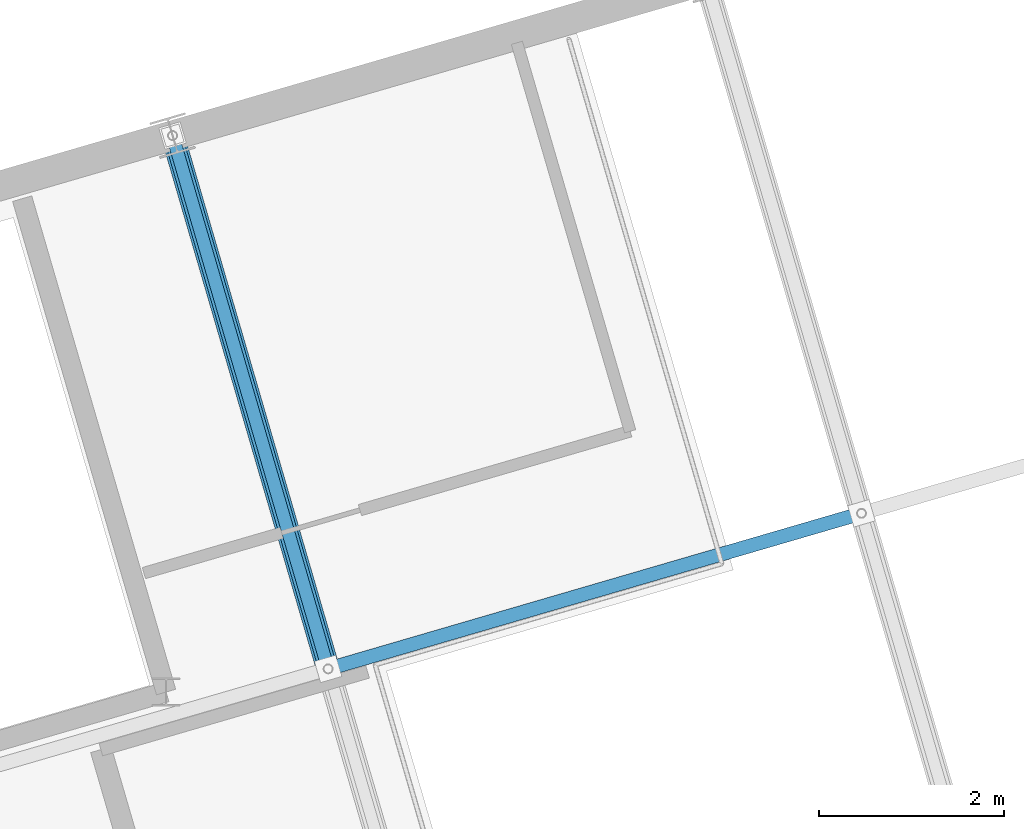
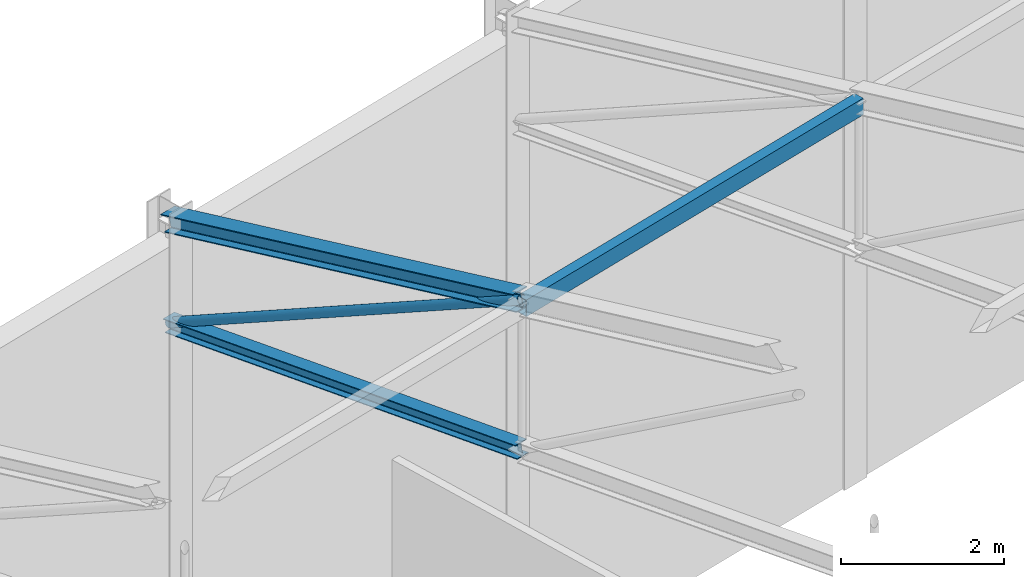
# One storey, part 147 of 248: 4 members.
"""IFC4 building model written with IfcOpenShell, lengths in metres."""

from ifc_helpers import new_model, si_unit, direction, frame, origin, origin_2d, place, context, subcontext, project, spatial, hollow_rectangle, hollow_circle, i_section, extrude, material, material_profile, profile_set, type_object, element, save


model = new_model("IFC4")

# Units and contexts
model_context = context("Model", 3, precision=1e-05, world=origin(), true_north=direction((0.0, 1.0)))
body_context = subcontext(model_context, "Body", "Model", "MODEL_VIEW")
ifc_project = project(units=[si_unit("LENGTHUNIT", "METRE"), si_unit("AREAUNIT", "SQUARE_METRE"), si_unit("VOLUMEUNIT", "CUBIC_METRE"), si_unit("PLANEANGLEUNIT", "RADIAN"), si_unit("MASSUNIT", "GRAM", prefix="KILO")], contexts=[model_context])

# Site, building, storey
site_placement = place(None, origin())
site = spatial("IfcSite", under=ifc_project, at=site_placement, CompositionType="ELEMENT")
building_placement = place(site_placement, origin())
building = spatial("IfcBuilding", under=site, at=building_placement, Name="Canggui Botanical Conservatory", CompositionType="ELEMENT")
storey_placement = place(building_placement, frame((0.0, 0.0, 5.39990234375)))
storey = spatial("IfcBuildingStorey", under=building, at=storey_placement, Name="L02", CompositionType="ELEMENT", Elevation=5.39990234375)

# Members
ifc_material = material(Name="Steel Q355B", Category="steel")
ifc_material_profile_1 = material_profile(ifc_material, hollow_rectangle(XDim=0.14990234375, YDim=0.25, WallThickness=0.008056640625, at=origin_2d()), Name="RHS 150x250x8")
ifc_profile_set_1 = profile_set([ifc_material_profile_1], Name="Steel Q355B")
member_type_1 = type_object("IfcMemberType", Name="MEM-PUR01", PredefinedType="PURLIN", material=ifc_profile_set_1)
member_1_placement = place(storey_placement, frame((72.47998046875, 110.639892578125, 11.550048828125), z_axis=(0.959992252312, 0.280026562133, 0.0), x_axis=(-0.280026562133, 0.959992252312, 0.0)))
element("IfcMember", 1, at=member_1_placement, inside=storey, type_object=member_type_1, Name="Auditorium Roof Purlin 3-3", PredefinedType="PURLIN", context=body_context, shape_type="SweptSolid", body=[
    extrude(hollow_rectangle(XDim=0.14990234375, YDim=0.25, WallThickness=0.008056640625, at=origin_2d()), origin(), (0.0, 0.0, 1.0), 6.0),
])
ifc_material_profile_2 = material_profile(ifc_material, i_section(OverallWidth=0.25, OverallDepth=0.25, WebThickness=0.009033203125, FlangeThickness=0.013916015625, FilletRadius=0.01611328125, at=origin_2d()), Name="HW 250x250x9x14")
ifc_profile_set_2 = profile_set([ifc_material_profile_2], Name="Steel Q355B")
member_type_2 = type_object("IfcMemberType", Name="MEM-TC01", PredefinedType="CHORD", material=ifc_profile_set_2)
member_2_placement = place(storey_placement, frame((72.47998046875, 110.639892578125, 11.650146484375), z_axis=(-0.269385502469, 0.923646586216, -0.272595735168), x_axis=(-0.960003190047, -0.279989062464, 0.0)))
element("IfcMember", 2, at=member_2_placement, inside=storey, type_object=member_type_2, Name="Auditorium Truss AT-03 Top Chord 4", PredefinedType="CHORD", context=body_context, shape_type="SweptSolid", body=[
    extrude(i_section(OverallWidth=0.25, OverallDepth=0.25, WebThickness=0.009033203125, FlangeThickness=0.013916015625, FilletRadius=0.01611328125, at=origin_2d()), origin(), (0.0, 0.0, 1.0), 6.236083984375),
])
ifc_material_profile_3 = material_profile(ifc_material, i_section(OverallWidth=0.199951171875, OverallDepth=0.199951171875, WebThickness=0.008056640625, FlangeThickness=0.011962890625, FilletRadius=0.012939453125, at=origin_2d()), Name="HW 200x200x8x12")
ifc_profile_set_3 = profile_set([ifc_material_profile_3], Name="Steel Q355B")
member_type_3 = type_object("IfcMemberType", Name="MEM-TC02", PredefinedType="CHORD", material=ifc_profile_set_3)
member_3_placement = place(storey_placement, frame((72.47998046875, 110.639892578125, 9.400146484375), z_axis=(-0.276179497805, 0.946941271868, -0.16439924764), x_axis=(-0.960003190047, -0.279989062464, 0.0)))
element("IfcMember", 3, at=member_3_placement, inside=storey, type_object=member_type_3, Name="Auditorium Truss AT-03 Bottom Chord 4", PredefinedType="CHORD", context=body_context, shape_type="SweptSolid", body=[
    extrude(i_section(OverallWidth=0.199951171875, OverallDepth=0.199951171875, WebThickness=0.008056640625, FlangeThickness=0.011962890625, FilletRadius=0.012939453125, at=origin_2d()), origin(), (0.0, 0.0, 1.0), 6.082763671875),
])
ifc_material_profile_4 = material_profile(ifc_material, hollow_circle(Radius=0.070068359375, WallThickness=0.006103515625, at=origin_2d()), Name="CHS 140x6")
ifc_profile_set_4 = profile_set([ifc_material_profile_4], Name="Steel Q355B")
member_type_4 = type_object("IfcMemberType", Name="MEM-TW01", PredefinedType="BRACE", material=ifc_profile_set_4)
member_4_placement = place(storey_placement, frame((70.800048828125, 116.39990234375, 8.400146484375), z_axis=(0.246192042448, -0.844122781207, 0.476283747867), x_axis=(0.960003190047, 0.279989062464, 0.0)))
element("IfcMember", 4, at=member_4_placement, inside=storey, type_object=member_type_4, Name="Auditorium Truss AT-03 Web Diagonal 4", PredefinedType="BRACE", context=body_context, shape_type="SweptSolid", body=[
    extrude(hollow_circle(Radius=0.070068359375, WallThickness=0.006103515625, at=origin_2d()), origin(), (0.0, 0.0, 1.0), 6.82373046875),
])

save(model, "model.ifc")
